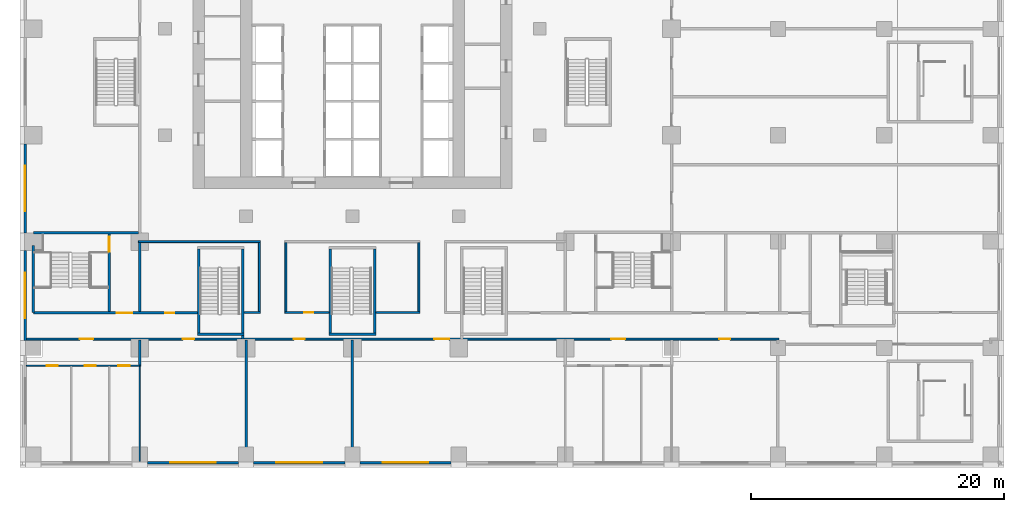
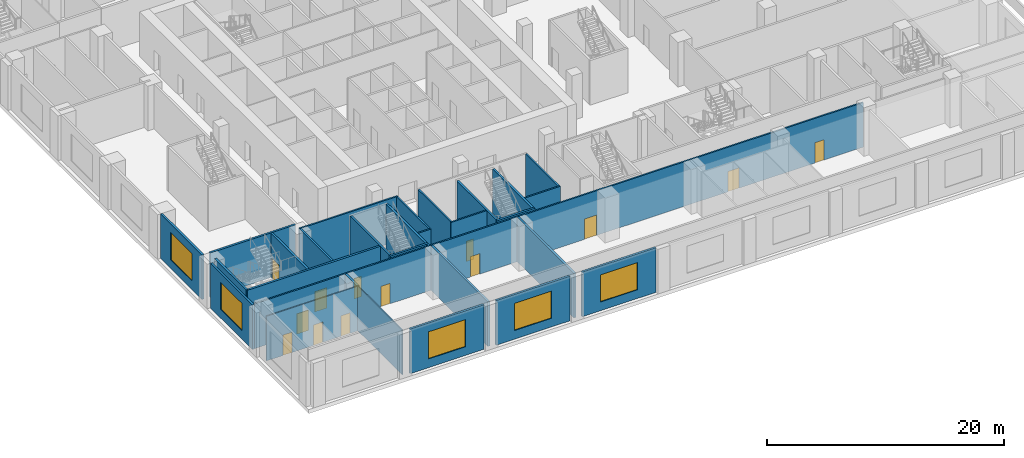
# One storey, part 4 of 23: 29 walls, 13 doors, 5 windows, 18 openings.
"""IFC4 building model written with IfcOpenShell, lengths in metres."""

from ifc_helpers import new_model, si_unit, direction, frame, frame_2d, origin, place, context, subcontext, project, spatial, rectangle, extrude, material, layer, layer_set, type_object, element, fill, save


model = new_model("IFC4")

# Units and contexts
model_context = context("Model", 3, precision=1e-05, world=origin(), true_north=direction((0.0, 1.0)))
body_context = subcontext(model_context, "Body", "Model", "MODEL_VIEW")
ifc_project = project(units=[si_unit("LENGTHUNIT", "METRE"), si_unit("AREAUNIT", "SQUARE_METRE"), si_unit("VOLUMEUNIT", "CUBIC_METRE"), si_unit("PLANEANGLEUNIT", "RADIAN"), si_unit("MASSUNIT", "GRAM", prefix="KILO")], contexts=[model_context])

# Site, building, storey
site_placement = place(None, origin())
site = spatial("IfcSite", under=ifc_project, at=site_placement, CompositionType="ELEMENT")
building_placement = place(site_placement, origin())
building = spatial("IfcBuilding", under=site, at=building_placement, Name="Vermilion Ogive Tower", CompositionType="ELEMENT")
storey_placement = place(building_placement, frame((0.0, 0.0, 20.0)))
storey = spatial("IfcBuildingStorey", under=building, at=storey_placement, Name="L03", CompositionType="ELEMENT", Elevation=20.0)

# Wall, openings, doors
ifc_material_1 = material(Name="Gypsum board partition on steel studs", Category="steel")
ifc_layer_1 = layer(ifc_material_1, 0.10009765625)
ifc_layer_set_1 = layer_set([ifc_layer_1], Name="Partition 100 bath")
wall_type_1 = type_object("IfcWallType", Name="Partition 100 bath", PredefinedType="PARTITIONING", material=ifc_layer_set_1)
wall_1_placement = place(storey_placement, frame((-25.75, -22.39990234375, 0.0), z_axis=(0.0, 0.0, 1.0), x_axis=(1.0, 0.0, 0.0)))
wall_1 = element("IfcWall", 1, at=wall_1_placement, inside=storey, type_object=wall_type_1, Name="L03-FS-W-W002", PredefinedType="PARTITIONING", context=body_context, shape_type="SweptSolid", body=[
    extrude(rectangle(XDim=9.050048828125, YDim=0.10009765625, at=frame_2d((4.52490234375, 0.0))), origin(), (0.0, 0.0, 1.0), 4.60009765625),
])
opening_1_placement = place(wall_1_placement, frame((1.60009765625, 0.0, 0.0)))
opening_1 = element("IfcOpeningElement", 2, at=opening_1_placement, cuts=wall_1, Name="Opening L03S023", PredefinedType="OPENING", context=body_context, shape_type="SweptSolid", body=[
    extrude(rectangle(XDim=0.89990234375, YDim=2.10009765625, at=frame_2d((0.449951171875, 1.050048828125))), frame((0.0, 0.06005859375, 0.0), z_axis=(0.0, -1.0, 0.0), x_axis=(1.0, 0.0, 0.0)), (0.0, 0.0, 1.0), 0.1201171875),
])
opening_2_placement = place(wall_1_placement, frame((4.60009765625, 0.0, 0.0)))
opening_2 = element("IfcOpeningElement", 3, at=opening_2_placement, cuts=wall_1, Name="Opening L03S024", PredefinedType="OPENING", context=body_context, shape_type="SweptSolid", body=[
    extrude(rectangle(XDim=0.89990234375, YDim=2.10009765625, at=frame_2d((0.449951171875, 1.050048828125))), frame((0.0, 0.06005859375, 0.0), z_axis=(0.0, -1.0, 0.0), x_axis=(1.0, 0.0, 0.0)), (0.0, 0.0, 1.0), 0.1201171875),
])
opening_3_placement = place(wall_1_placement, frame((7.25, 0.0, 0.0)))
opening_3 = element("IfcOpeningElement", 4, at=opening_3_placement, cuts=wall_1, Name="Opening L03S025", PredefinedType="OPENING", context=body_context, shape_type="SweptSolid", body=[
    extrude(rectangle(XDim=0.89990234375, YDim=2.10009765625, at=frame_2d((0.449951171875, 1.050048828125))), frame((0.0, 0.06005859375, 0.0), z_axis=(0.0, -1.0, 0.0), x_axis=(1.0, 0.0, 0.0)), (0.0, 0.0, 1.0), 0.1201171875),
])
ifc_material_2 = material(Name="Timber door leaf", Category="wood")
door_type_1 = type_object("IfcDoorType", Name="Room door 900 x 2100 FD30", OperationType="SINGLE_SWING_LEFT", PredefinedType="DOOR", material=ifc_material_2)
door_1_placement = place(opening_1_placement, origin())
door_1 = element("IfcDoor", 5, at=door_1_placement, inside=storey, type_object=door_type_1, Name="L03-FS-D-D023", OperationType="SINGLE_SWING_RIGHT", OverallHeight=2.10009765625, OverallWidth=0.89990234375, PredefinedType="DOOR", context=body_context, shape_type="SweptSolid", body=[
    extrude(rectangle(XDim=0.89990234375, YDim=2.10009765625, at=frame_2d((0.449951171875, 1.050048828125))), frame((0.0, 0.02490234375, 0.0), z_axis=(0.0, -1.0, 0.0), x_axis=(1.0, 0.0, 0.0)), (0.0, 0.0, 1.0), 0.050048828125),
])
fill(opening_1, door_1)
door_2_placement = place(opening_2_placement, origin())
door_2 = element("IfcDoor", 6, at=door_2_placement, inside=storey, type_object=door_type_1, Name="L03-FS-D-D024", OperationType="SINGLE_SWING_RIGHT", OverallHeight=2.10009765625, OverallWidth=0.89990234375, PredefinedType="DOOR", context=body_context, shape_type="SweptSolid", body=[
    extrude(rectangle(XDim=0.89990234375, YDim=2.10009765625, at=frame_2d((0.449951171875, 1.050048828125))), frame((0.0, 0.02490234375, 0.0), z_axis=(0.0, -1.0, 0.0), x_axis=(1.0, 0.0, 0.0)), (0.0, 0.0, 1.0), 0.050048828125),
])
fill(opening_2, door_2)
door_3_placement = place(opening_3_placement, origin())
door_3 = element("IfcDoor", 7, at=door_3_placement, inside=storey, type_object=door_type_1, Name="L03-FS-D-D025", OperationType="SINGLE_SWING_RIGHT", OverallHeight=2.10009765625, OverallWidth=0.89990234375, PredefinedType="DOOR", context=body_context, shape_type="SweptSolid", body=[
    extrude(rectangle(XDim=0.89990234375, YDim=2.10009765625, at=frame_2d((0.449951171875, 1.050048828125))), frame((0.0, 0.02490234375, 0.0), z_axis=(0.0, -1.0, 0.0), x_axis=(1.0, 0.0, 0.0)), (0.0, 0.0, 1.0), 0.050048828125),
])
fill(opening_3, door_3)

# Wall
wall_2_placement = place(storey_placement, frame((-16.800048828125, -29.949951171875, 0.0), z_axis=(0.0, 0.0, 1.0), x_axis=(0.0, 1.0, 0.0)))
element("IfcWall", 8, at=wall_2_placement, inside=storey, type_object=wall_type_1, Name="L03-FS-W-W050", PredefinedType="PARTITIONING", context=body_context, shape_type="SweptSolid", body=[
    extrude(rectangle(XDim=7.5, YDim=0.10009765625, at=frame_2d((3.75, 0.0))), origin(), (0.0, 0.0, 1.0), 4.60009765625),
])

# Wall, openings, doors
ifc_material_3 = material(Name="Gypsum board partition on steel studs", Category="steel")
ifc_layer_2 = layer(ifc_material_3, 0.14990234375)
ifc_layer_set_2 = layer_set([ifc_layer_2], Name="Partition 150 corridor")
wall_type_2 = type_object("IfcWallType", Name="Partition 150 corridor", PredefinedType="PARTITIONING", material=ifc_layer_set_2)
wall_3_placement = place(storey_placement, frame((-25.75, -20.300048828125, 0.0), z_axis=(0.0, 0.0, 1.0), x_axis=(1.0, 0.0, 0.0)))
wall_3 = element("IfcWall", 9, at=wall_3_placement, inside=storey, type_object=wall_type_2, Name="L03-FS-W-W006", PredefinedType="PARTITIONING", context=body_context, shape_type="SweptSolid", body=[
    extrude(rectangle(XDim=59.425048828125, YDim=0.14990234375, at=frame_2d((29.71240234375, 0.0))), origin(), (0.0, 0.0, 1.0), 4.60009765625),
])
opening_4_placement = place(wall_3_placement, frame((4.199951171875, 0.0, 0.0)))
opening_4 = element("IfcOpeningElement", 10, at=opening_4_placement, cuts=wall_3, Name="Opening L03S022", PredefinedType="OPENING", context=body_context, shape_type="SweptSolid", body=[
    extrude(rectangle(XDim=1.10009765625, YDim=2.10009765625, at=frame_2d((0.550048828125, 1.050048828125))), frame((0.0, 0.0849609375, 0.0), z_axis=(0.0, -1.0, 0.0), x_axis=(1.0, 0.0, 0.0)), (0.0, 0.0, 1.0), 0.169921875),
])
opening_5_placement = place(wall_3_placement, frame((12.35009765625, 0.0, 0.0)))
opening_5 = element("IfcOpeningElement", 11, at=opening_5_placement, cuts=wall_3, Name="Opening L03S026", PredefinedType="OPENING", context=body_context, shape_type="SweptSolid", body=[
    extrude(rectangle(XDim=0.89990234375, YDim=2.10009765625, at=frame_2d((0.449951171875, 1.050048828125))), frame((0.0, 0.0849609375, 0.0), z_axis=(0.0, -1.0, 0.0), x_axis=(1.0, 0.0, 0.0)), (0.0, 0.0, 1.0), 0.169921875),
])
opening_6_placement = place(wall_3_placement, frame((21.10009765625, 0.0, 0.0)))
opening_6 = element("IfcOpeningElement", 12, at=opening_6_placement, cuts=wall_3, Name="Opening L03S027", PredefinedType="OPENING", context=body_context, shape_type="SweptSolid", body=[
    extrude(rectangle(XDim=0.89990234375, YDim=2.10009765625, at=frame_2d((0.449951171875, 1.050048828125))), frame((0.0, 0.0849609375, 0.0), z_axis=(0.0, -1.0, 0.0), x_axis=(1.0, 0.0, 0.0)), (0.0, 0.0, 1.0), 0.169921875),
])
opening_7_placement = place(wall_3_placement, frame((32.199951171875, 0.0, 0.0)))
opening_7 = element("IfcOpeningElement", 13, at=opening_7_placement, cuts=wall_3, Name="Opening L03S028", PredefinedType="OPENING", context=body_context, shape_type="SweptSolid", body=[
    extrude(rectangle(XDim=1.199951171875, YDim=2.10009765625, at=frame_2d((0.60009765625, 1.050048828125))), frame((0.0, 0.0849609375, 0.0), z_axis=(0.0, -1.0, 0.0), x_axis=(1.0, 0.0, 0.0)), (0.0, 0.0, 1.0), 0.169921875),
])
opening_8_placement = place(wall_3_placement, frame((46.199951171875, 0.0, 0.0)))
opening_8 = element("IfcOpeningElement", 14, at=opening_8_placement, cuts=wall_3, Name="Opening L03S040", PredefinedType="OPENING", context=body_context, shape_type="SweptSolid", body=[
    extrude(rectangle(XDim=1.10009765625, YDim=2.10009765625, at=frame_2d((0.550048828125, 1.050048828125))), frame((0.0, 0.0849609375, 0.0), z_axis=(0.0, -1.0, 0.0), x_axis=(1.0, 0.0, 0.0)), (0.0, 0.0, 1.0), 0.169921875),
])
opening_9_placement = place(wall_3_placement, frame((54.699951171875, 0.0, 0.0)))
opening_9 = element("IfcOpeningElement", 15, at=opening_9_placement, cuts=wall_3, Name="Opening L03S044", PredefinedType="OPENING", context=body_context, shape_type="SweptSolid", body=[
    extrude(rectangle(XDim=0.89990234375, YDim=2.10009765625, at=frame_2d((0.449951171875, 1.050048828125))), frame((0.0, 0.0849609375, 0.0), z_axis=(0.0, -1.0, 0.0), x_axis=(1.0, 0.0, 0.0)), (0.0, 0.0, 1.0), 0.169921875),
])
ifc_material_4 = material(Name="Timber door leaf", Category="wood")
door_type_2 = type_object("IfcDoorType", Name="Room door 1200 x 2100 FD30", OperationType="SINGLE_SWING_LEFT", PredefinedType="DOOR", material=ifc_material_4)
door_4_placement = place(opening_7_placement, origin())
door_4 = element("IfcDoor", 16, at=door_4_placement, inside=storey, type_object=door_type_2, Name="L03-FS-D-D028", OperationType="SINGLE_SWING_LEFT", OverallHeight=2.10009765625, OverallWidth=1.199951171875, PredefinedType="DOOR", context=body_context, shape_type="SweptSolid", body=[
    extrude(rectangle(XDim=1.199951171875, YDim=2.10009765625, at=frame_2d((0.60009765625, 1.050048828125))), frame((0.0, 0.02490234375, 0.0), z_axis=(0.0, -1.0, 0.0), x_axis=(1.0, 0.0, 0.0)), (0.0, 0.0, 1.0), 0.050048828125),
])
fill(opening_7, door_4)
door_5_placement = place(opening_5_placement, origin())
door_5 = element("IfcDoor", 17, at=door_5_placement, inside=storey, type_object=door_type_1, Name="L03-FS-D-D026", OperationType="SINGLE_SWING_LEFT", OverallHeight=2.10009765625, OverallWidth=0.89990234375, PredefinedType="DOOR", context=body_context, shape_type="SweptSolid", body=[
    extrude(rectangle(XDim=0.89990234375, YDim=2.10009765625, at=frame_2d((0.449951171875, 1.050048828125))), frame((0.0, 0.02490234375, 0.0), z_axis=(0.0, -1.0, 0.0), x_axis=(1.0, 0.0, 0.0)), (0.0, 0.0, 1.0), 0.050048828125),
])
fill(opening_5, door_5)
door_6_placement = place(opening_6_placement, origin())
door_6 = element("IfcDoor", 18, at=door_6_placement, inside=storey, type_object=door_type_1, Name="L03-FS-D-D027", OperationType="SINGLE_SWING_LEFT", OverallHeight=2.10009765625, OverallWidth=0.89990234375, PredefinedType="DOOR", context=body_context, shape_type="SweptSolid", body=[
    extrude(rectangle(XDim=0.89990234375, YDim=2.10009765625, at=frame_2d((0.449951171875, 1.050048828125))), frame((0.0, 0.02490234375, 0.0), z_axis=(0.0, -1.0, 0.0), x_axis=(1.0, 0.0, 0.0)), (0.0, 0.0, 1.0), 0.050048828125),
])
fill(opening_6, door_6)
door_7_placement = place(opening_9_placement, origin())
door_7 = element("IfcDoor", 19, at=door_7_placement, inside=storey, type_object=door_type_1, Name="L03-FS-D-D044", OperationType="SINGLE_SWING_RIGHT", OverallHeight=2.10009765625, OverallWidth=0.89990234375, PredefinedType="DOOR", context=body_context, shape_type="SweptSolid", body=[
    extrude(rectangle(XDim=0.89990234375, YDim=2.10009765625, at=frame_2d((0.449951171875, 1.050048828125))), frame((0.0, 0.02490234375, 0.0), z_axis=(0.0, -1.0, 0.0), x_axis=(1.0, 0.0, 0.0)), (0.0, 0.0, 1.0), 0.050048828125),
])
fill(opening_9, door_7)
ifc_material_5 = material(Name="Timber door leaf", Category="wood")
door_type_3 = type_object("IfcDoorType", Name="Wc door 1100 x 2100 FD30", OperationType="SINGLE_SWING_LEFT", PredefinedType="DOOR", material=ifc_material_5)
door_8_placement = place(opening_4_placement, origin())
door_8 = element("IfcDoor", 20, at=door_8_placement, inside=storey, type_object=door_type_3, Name="L03-FS-D-D022", OperationType="SINGLE_SWING_RIGHT", OverallHeight=2.10009765625, OverallWidth=1.10009765625, PredefinedType="DOOR", context=body_context, shape_type="SweptSolid", body=[
    extrude(rectangle(XDim=1.10009765625, YDim=2.10009765625, at=frame_2d((0.550048828125, 1.050048828125))), frame((0.0, 0.02490234375, 0.0), z_axis=(0.0, -1.0, 0.0), x_axis=(1.0, 0.0, 0.0)), (0.0, 0.0, 1.0), 0.050048828125),
])
fill(opening_4, door_8)
door_9_placement = place(opening_8_placement, origin())
door_9 = element("IfcDoor", 21, at=door_9_placement, inside=storey, type_object=door_type_3, Name="L03-FS-D-D040", OperationType="SINGLE_SWING_RIGHT", OverallHeight=2.10009765625, OverallWidth=1.10009765625, PredefinedType="DOOR", context=body_context, shape_type="SweptSolid", body=[
    extrude(rectangle(XDim=1.10009765625, YDim=2.10009765625, at=frame_2d((0.550048828125, 1.050048828125))), frame((0.0, 0.02490234375, 0.0), z_axis=(0.0, -1.0, 0.0), x_axis=(1.0, 0.0, 0.0)), (0.0, 0.0, 1.0), 0.050048828125),
])
fill(opening_8, door_9)

# Wall
wall_4_placement = place(storey_placement, frame((-8.550048828125, -18.199951171875, 0.0), z_axis=(0.0, 0.0, 1.0), x_axis=(1.0, 0.0, 0.0)))
element("IfcWall", 22, at=wall_4_placement, inside=storey, type_object=wall_type_2, Name="L03-FS-W-W010", PredefinedType="PARTITIONING", context=body_context, shape_type="SweptSolid", body=[
    extrude(rectangle(XDim=1.275146484375, YDim=0.14990234375, at=frame_2d((0.6376953125, 0.0))), origin(), (0.0, 0.0, 1.0), 4.60009765625),
])

# Wall, opening, door
wall_5_placement = place(storey_placement, frame((-5.324951171875, -18.199951171875, 0.0), z_axis=(0.0, 0.0, 1.0), x_axis=(1.0, 0.0, 0.0)))
wall_5 = element("IfcWall", 23, at=wall_5_placement, inside=storey, type_object=wall_type_2, Name="L03-FS-W-W011", PredefinedType="PARTITIONING", context=body_context, shape_type="SweptSolid", body=[
    extrude(rectangle(XDim=3.474853515625, YDim=0.14990234375, at=frame_2d((1.7373046875, 0.0))), origin(), (0.0, 0.0, 1.0), 4.60009765625),
])
opening_10_placement = place(wall_5_placement, frame((1.52490234375, 0.0, 0.0)))
opening_10 = element("IfcOpeningElement", 24, at=opening_10_placement, cuts=wall_5, Name="Opening L03S053", PredefinedType="OPENING", context=body_context, shape_type="SweptSolid", body=[
    extrude(rectangle(XDim=0.699951171875, YDim=2.10009765625, at=frame_2d((0.35009765625, 1.050048828125))), frame((0.0, 0.0849609375, 0.0), z_axis=(0.0, -1.0, 0.0), x_axis=(1.0, 0.0, 0.0)), (0.0, 0.0, 1.0), 0.169921875),
])
ifc_material_6 = material(Name="Timber door leaf", Category="wood")
door_type_4 = type_object("IfcDoorType", Name="Room door 700 x 2100 FD30", OperationType="SINGLE_SWING_LEFT", PredefinedType="DOOR", material=ifc_material_6)
door_10_placement = place(opening_10_placement, origin())
door_10 = element("IfcDoor", 25, at=door_10_placement, inside=storey, type_object=door_type_4, Name="L03-FS-D-D053", OperationType="SINGLE_SWING_LEFT", OverallHeight=2.10009765625, OverallWidth=0.699951171875, PredefinedType="DOOR", context=body_context, shape_type="SweptSolid", body=[
    extrude(rectangle(XDim=0.699951171875, YDim=2.10009765625, at=frame_2d((0.35009765625, 1.050048828125))), frame((0.0, 0.02490234375, 0.0), z_axis=(0.0, -1.0, 0.0), x_axis=(1.0, 0.0, 0.0)), (0.0, 0.0, 1.0), 0.050048828125),
])
fill(opening_10, door_10)

# Walls
wall_6_placement = place(storey_placement, frame((1.85009765625, -18.199951171875, 0.0), z_axis=(0.0, 0.0, 1.0), x_axis=(1.0, 0.0, 0.0)))
element("IfcWall", 26, at=wall_6_placement, inside=storey, type_object=wall_type_2, Name="L03-FS-W-W012", PredefinedType="PARTITIONING", context=body_context, shape_type="SweptSolid", body=[
    extrude(rectangle(XDim=3.474853515625, YDim=0.14990234375, at=frame_2d((1.7373046875, 0.0))), origin(), (0.0, 0.0, 1.0), 4.60009765625),
])
wall_7_placement = place(storey_placement, frame((-16.89990234375, -12.60009765625, 0.0), z_axis=(0.0, 0.0, 1.0), x_axis=(1.0, 0.0, 0.0)))
element("IfcWall", 27, at=wall_7_placement, inside=storey, type_object=wall_type_2, Name="L03-FS-W-W016", PredefinedType="PARTITIONING", context=body_context, shape_type="SweptSolid", body=[
    extrude(rectangle(XDim=9.625, YDim=0.14990234375, at=frame_2d((4.8125, 0.0))), origin(), (0.0, 0.0, 1.0), 4.60009765625),
])
for number, where, z_axis, x_axis, name in (
    (28, (-7.35009765625, -18.125, 0.0), (0.0, 0.0, 1.0), (0.0, 1.0, 0.0), "L03-FS-W-W056"),
    (29, (-5.25, -18.125, 0.0), (0.0, 0.0, 1.0), (0.0, 1.0, 0.0), "L03-FS-W-W058"),
    (30, (5.25, -18.125, 0.0), (0.0, 0.0, 1.0), (0.0, 1.0, 0.0), "L03-FS-W-W063"),
):
    element("IfcWall", number, at=place(storey_placement, frame(where, z_axis=z_axis, x_axis=x_axis)), inside=storey, type_object=wall_type_2, Name=name, PredefinedType="PARTITIONING", context=body_context, shape_type="SweptSolid", body=[
        extrude(rectangle(XDim=5.449951171875, YDim=0.14990234375, at=frame_2d((2.72509765625, 0.0))), origin(), (0.0, 0.0, 1.0), 4.60009765625),
    ])
ifc_material_7 = material(Name="Gypsum board partition on steel studs", Category="steel")
ifc_layer_3 = layer(ifc_material_7, 0.199951171875)
ifc_layer_set_3 = layer_set([ifc_layer_3], Name="Partition 200 party")
wall_type_3 = type_object("IfcWallType", Name="Partition 200 party", PredefinedType="PARTITIONING", material=ifc_layer_set_3)
wall_8_placement = place(storey_placement, frame((-16.800048828125, -22.35009765625, 0.0), z_axis=(0.0, 0.0, 1.0), x_axis=(0.0, 1.0, 0.0)))
element("IfcWall", 31, at=wall_8_placement, inside=storey, type_object=wall_type_3, Name="L03-FS-W-W051", PredefinedType="PARTITIONING", context=body_context, shape_type="SweptSolid", body=[
    extrude(rectangle(XDim=1.97509765625, YDim=0.199951171875, at=frame_2d((0.987548828125, 0.0))), origin(), (0.0, 0.0, 1.0), 4.60009765625),
])
wall_9_placement = place(storey_placement, frame((-16.800048828125, -18.125, 0.0), z_axis=(0.0, 0.0, 1.0), x_axis=(0.0, 1.0, 0.0)))
element("IfcWall", 32, at=wall_9_placement, inside=storey, type_object=wall_type_3, Name="L03-FS-W-W052", PredefinedType="PARTITIONING", context=body_context, shape_type="SweptSolid", body=[
    extrude(rectangle(XDim=5.449951171875, YDim=0.199951171875, at=frame_2d((2.72509765625, 0.0))), origin(), (0.0, 0.0, 1.0), 4.60009765625),
])
for number, where, z_axis, x_axis, name in (
    (33, (-8.39990234375, -29.949951171875, 0.0), (0.0, 0.0, 1.0), (0.0, 1.0, 0.0), "L03-FS-W-W055"),
    (34, (0.0, -29.949951171875, 0.0), (0.0, 0.0, 1.0), (0.0, 1.0, 0.0), "L03-FS-W-W060"),
):
    element("IfcWall", number, at=place(storey_placement, frame(where, z_axis=z_axis, x_axis=x_axis)), inside=storey, type_object=wall_type_3, Name=name, PredefinedType="PARTITIONING", context=body_context, shape_type="SweptSolid", body=[
        extrude(rectangle(XDim=9.574951171875, YDim=0.199951171875, at=frame_2d((4.78759765625, 0.0))), origin(), (0.0, 0.0, 1.0), 4.60009765625),
    ])

# Wall, openings, doors
ifc_material_8 = material(Name="Concrete B60", Category="concrete")
ifc_layer_4 = layer(ifc_material_8, 0.199951171875)
ifc_layer_set_4 = layer_set([ifc_layer_4], Name="Stair shaft wall 200 Concrete B60")
wall_type_4 = type_object("IfcWallType", Name="Stair shaft wall 200 Concrete B60", PredefinedType="SOLIDWALL", material=ifc_layer_set_4)
wall_10_placement = place(storey_placement, frame((-25.199951171875, -18.224853515625, 0.0), z_axis=(0.0, 0.0, 1.0), x_axis=(1.0, 0.0, 0.0)))
wall_10 = element("IfcWall", 35, at=wall_10_placement, inside=storey, type_object=wall_type_4, Name="L03-FS-W-W009", PredefinedType="SOLIDWALL", context=body_context, shape_type="SweptSolid", body=[
    extrude(rectangle(XDim=12.949951171875, YDim=0.199951171875, at=frame_2d((6.47509765625, 0.0))), origin(), (0.0, 0.0, 1.0), 4.60009765625),
])
opening_11_placement = place(wall_10_placement, frame((6.599853515625, 0.0, 0.0)))
opening_11 = element("IfcOpeningElement", 36, at=opening_11_placement, cuts=wall_10, Name="Opening L03S013", PredefinedType="OPENING", context=body_context, shape_type="SweptSolid", body=[
    extrude(rectangle(XDim=1.199951171875, YDim=2.10009765625, at=frame_2d((0.60009765625, 1.050048828125))), frame((0.0, 0.10986328125, 0.0), z_axis=(0.0, -1.0, 0.0), x_axis=(1.0, 0.0, 0.0)), (0.0, 0.0, 1.0), 0.219970703125),
])
opening_12_placement = place(wall_10_placement, frame((10.4248046875, 0.0, 0.0)))
opening_12 = element("IfcOpeningElement", 37, at=opening_12_placement, cuts=wall_10, Name="Opening L03S052", PredefinedType="OPENING", context=body_context, shape_type="SweptSolid", body=[
    extrude(rectangle(XDim=0.699951171875, YDim=2.10009765625, at=frame_2d((0.35009765625, 1.050048828125))), frame((0.0, 0.10986328125, 0.0), z_axis=(0.0, -1.0, 0.0), x_axis=(1.0, 0.0, 0.0)), (0.0, 0.0, 1.0), 0.219970703125),
])
door_11_placement = place(opening_12_placement, origin())
door_11 = element("IfcDoor", 38, at=door_11_placement, inside=storey, type_object=door_type_4, Name="L03-FS-D-D052", OperationType="SINGLE_SWING_RIGHT", OverallHeight=2.10009765625, OverallWidth=0.699951171875, PredefinedType="DOOR", context=body_context, shape_type="SweptSolid", body=[
    extrude(rectangle(XDim=0.699951171875, YDim=2.10009765625, at=frame_2d((0.35009765625, 1.050048828125))), frame((0.0, 0.02490234375, 0.0), z_axis=(0.0, -1.0, 0.0), x_axis=(1.0, 0.0, 0.0)), (0.0, 0.0, 1.0), 0.050048828125),
])
fill(opening_12, door_11)
ifc_material_9 = material(Name="Timber door leaf", Category="wood")
door_type_5 = type_object("IfcDoorType", Name="Stair door 1200 x 2100 FD60S", OperationType="SINGLE_SWING_LEFT", PredefinedType="DOOR", material=ifc_material_9)
door_12_placement = place(opening_11_placement, origin())
door_12 = element("IfcDoor", 39, at=door_12_placement, inside=storey, type_object=door_type_5, Name="L03-FS-D-D013", OperationType="SINGLE_SWING_RIGHT", OverallHeight=2.10009765625, OverallWidth=1.199951171875, PredefinedType="DOOR", context=body_context, shape_type="SweptSolid", body=[
    extrude(rectangle(XDim=1.199951171875, YDim=2.10009765625, at=frame_2d((0.60009765625, 1.050048828125))), frame((0.0, 0.02490234375, 0.0), z_axis=(0.0, -1.0, 0.0), x_axis=(1.0, 0.0, 0.0)), (0.0, 0.0, 1.0), 0.050048828125),
])
fill(opening_11, door_12)

# Wall
wall_11_placement = place(storey_placement, frame((-25.199951171875, -11.89990234375, 0.0), z_axis=(0.0, 0.0, 1.0), x_axis=(1.0, 0.0, 0.0)))
element("IfcWall", 40, at=wall_11_placement, inside=storey, type_object=wall_type_4, Name="L03-FS-W-W019", PredefinedType="SOLIDWALL", context=body_context, shape_type="SweptSolid", body=[
    extrude(rectangle(XDim=8.324951171875, YDim=0.199951171875, at=frame_2d((4.16259765625, 0.0))), origin(), (0.0, 0.0, 1.0), 4.60009765625),
])

# Wall, opening, door
wall_12_placement = place(storey_placement, frame((-19.199951171875, -18.125, 0.0), z_axis=(0.0, 0.0, 1.0), x_axis=(0.0, 1.0, 0.0)))
wall_12 = element("IfcWall", 41, at=wall_12_placement, inside=storey, type_object=wall_type_4, Name="L03-FS-W-W049", PredefinedType="SOLIDWALL", context=body_context, shape_type="SweptSolid", body=[
    extrude(rectangle(XDim=6.125, YDim=0.199951171875, at=frame_2d((3.0625, 0.0))), origin(), (0.0, 0.0, 1.0), 4.60009765625),
])
opening_13_placement = place(wall_12_placement, frame((4.72509765625, 0.0, 0.0)))
opening_13 = element("IfcOpeningElement", 42, at=opening_13_placement, cuts=wall_12, Name="Opening L03S004", PredefinedType="OPENING", context=body_context, shape_type="SweptSolid", body=[
    extrude(rectangle(XDim=1.199951171875, YDim=2.10009765625, at=frame_2d((0.60009765625, 1.050048828125))), frame((0.0, 0.10986328125, 0.0), z_axis=(0.0, -1.0, 0.0), x_axis=(1.0, 0.0, 0.0)), (0.0, 0.0, 1.0), 0.219970703125),
])
door_13_placement = place(opening_13_placement, origin())
door_13 = element("IfcDoor", 43, at=door_13_placement, inside=storey, type_object=door_type_5, Name="L03-FS-D-D004", OperationType="DOUBLE_DOOR_SINGLE_SWING", OverallHeight=2.10009765625, OverallWidth=1.199951171875, PredefinedType="DOOR", context=body_context, shape_type="SweptSolid", body=[
    extrude(rectangle(XDim=1.199951171875, YDim=2.10009765625, at=frame_2d((0.60009765625, 1.050048828125))), frame((0.0, 0.02490234375, 0.0), z_axis=(0.0, -1.0, 0.0), x_axis=(1.0, 0.0, 0.0)), (0.0, 0.0, 1.0), 0.050048828125),
])
fill(opening_13, door_13)

# Walls
wall_13_placement = place(storey_placement, frame((-12.25, -19.89990234375, 0.0), z_axis=(0.0, 0.0, 1.0), x_axis=(1.0, 0.0, 0.0)))
element("IfcWall", 44, at=wall_13_placement, inside=storey, type_object=wall_type_4, Name="L03-SW-ST3-S1", PredefinedType="SOLIDWALL", context=body_context, shape_type="SweptSolid", body=[
    extrude(rectangle(XDim=3.699951171875, YDim=0.199951171875, at=frame_2d((1.85009765625, 0.0))), origin(), (0.0, 0.0, 1.0), 4.60009765625),
])
wall_14_placement = place(storey_placement, frame((-12.14990234375, -19.800048828125, 0.0), z_axis=(0.0, 0.0, 1.0), x_axis=(0.0, 1.0, 0.0)))
element("IfcWall", 45, at=wall_14_placement, inside=storey, type_object=wall_type_4, Name="L03-SW-ST3-W1", PredefinedType="SOLIDWALL", context=body_context, shape_type="SweptSolid", body=[
    extrude(rectangle(XDim=6.60009765625, YDim=0.199951171875, at=frame_2d((3.300048828125, 0.0))), origin(), (0.0, 0.0, 1.0), 4.60009765625),
])
wall_15_placement = place(storey_placement, frame((-8.64990234375, -20.300048828125, 0.0), z_axis=(0.0, 0.0, 1.0), x_axis=(0.0, 1.0, 0.0)))
element("IfcWall", 46, at=wall_15_placement, inside=storey, type_object=wall_type_4, Name="L03-SW-ST3-E1", PredefinedType="SOLIDWALL", context=body_context, shape_type="SweptSolid", body=[
    extrude(rectangle(XDim=7.10009765625, YDim=0.199951171875, at=frame_2d((3.550048828125, 0.0))), origin(), (0.0, 0.0, 1.0), 4.60009765625),
])
wall_16_placement = place(storey_placement, frame((-1.85009765625, -19.89990234375, 0.0), z_axis=(0.0, 0.0, 1.0), x_axis=(1.0, 0.0, 0.0)))
element("IfcWall", 47, at=wall_16_placement, inside=storey, type_object=wall_type_4, Name="L03-SW-ST4-S1", PredefinedType="SOLIDWALL", context=body_context, shape_type="SweptSolid", body=[
    extrude(rectangle(XDim=3.7001953125, YDim=0.199951171875, at=frame_2d((1.85009765625, 0.0))), origin(), (0.0, 0.0, 1.0), 4.60009765625),
])
for number, where, z_axis, x_axis, name in (
    (48, (-1.75, -19.800048828125, 0.0), (0.0, 0.0, 1.0), (0.0, 1.0, 0.0), "L03-SW-ST4-W1"),
    (49, (1.75, -19.800048828125, 0.0), (0.0, 0.0, 1.0), (0.0, 1.0, 0.0), "L03-SW-ST4-E1"),
):
    element("IfcWall", number, at=place(storey_placement, frame(where, z_axis=z_axis, x_axis=x_axis)), inside=storey, type_object=wall_type_4, Name=name, PredefinedType="SOLIDWALL", context=body_context, shape_type="SweptSolid", body=[
        extrude(rectangle(XDim=6.60009765625, YDim=0.199951171875, at=frame_2d((3.300048828125, 0.0))), origin(), (0.0, 0.0, 1.0), 4.60009765625),
    ])
wall_17_placement = place(storey_placement, frame((-25.199951171875, -18.199951171875, 0.0), z_axis=(0.0, 0.0, 1.0), x_axis=(0.0, 1.0, 0.0)))
element("IfcWall", 50, at=wall_17_placement, inside=storey, type_object=wall_type_4, Name="L03-SW-R007-W1", PredefinedType="SOLIDWALL", context=body_context, shape_type="SweptSolid", body=[
    extrude(rectangle(XDim=5.300048828125, YDim=0.199951171875, at=frame_2d((2.64990234375, 0.0))), origin(), (0.0, 0.0, 1.0), 4.60009765625),
])

# Wall, opening, window
ifc_material_10 = material(Name="Aluminium window wall framing", Category="aluminium")
ifc_layer_5 = layer(ifc_material_10, 0.199951171875)
ifc_layer_set_5 = layer_set([ifc_layer_5], Name="Window wall")
wall_type_5 = type_object("IfcWallType", Name="Window wall", PredefinedType="STANDARD", material=ifc_layer_set_5)
wall_18_placement = place(storey_placement, frame((-16.199951171875, -30.050048828125, 0.0), z_axis=(0.0, 0.0, 1.0), x_axis=(1.0, 0.0, 0.0)))
wall_18 = element("IfcWall", 51, at=wall_18_placement, inside=storey, type_object=wall_type_5, Name="Window wall S2", PredefinedType="STANDARD", context=body_context, shape_type="SweptSolid", body=[
    extrude(rectangle(XDim=7.199951171875, YDim=0.199951171875, at=frame_2d((3.60009765625, 0.0))), origin(), (0.0, 0.0, 1.0), 4.60009765625),
])
opening_14_placement = place(wall_18_placement, frame((1.800048828125, 0.0, 0.89990234375)))
opening_14 = element("IfcOpeningElement", 52, at=opening_14_placement, cuts=wall_18, Name="Opening P-S2", PredefinedType="OPENING", context=body_context, shape_type="SweptSolid", body=[
    extrude(rectangle(XDim=3.60009765625, YDim=2.800048828125, at=frame_2d((1.800048828125, 1.39990234375))), frame((0.0, 0.10986328125, 0.0), z_axis=(0.0, -1.0, 0.0), x_axis=(1.0, 0.0, 0.0)), (0.0, 0.0, 1.0), 0.219970703125),
])
ifc_material_11 = material(Name="Aluminium framed double glazing", Category="aluminium")
window_type = type_object("IfcWindowType", Name="Podium window P 3600x2800 sill 900", PartitioningType="SINGLE_PANEL", PredefinedType="WINDOW", material=ifc_material_11)
window_1_placement = place(opening_14_placement, origin())
window_1 = element("IfcWindow", 53, at=window_1_placement, inside=storey, type_object=window_type, Name="Window S2", OverallHeight=2.800048828125, OverallWidth=3.60009765625, PartitioningType="SINGLE_PANEL", PredefinedType="WINDOW", context=body_context, shape_type="SweptSolid", body=[
    extrude(rectangle(XDim=3.60009765625, YDim=2.800048828125, at=frame_2d((1.800048828125, 1.39990234375))), frame((0.0, 0.030029296875, 0.0), z_axis=(0.0, -1.0, 0.0), x_axis=(1.0, 0.0, 0.0)), (0.0, 0.0, 1.0), 0.06005859375),
])
fill(opening_14, window_1)

wall_19_placement = place(storey_placement, frame((-7.800048828125, -30.050048828125, 0.0), z_axis=(0.0, 0.0, 1.0), x_axis=(1.0, 0.0, 0.0)))
wall_19 = element("IfcWall", 54, at=wall_19_placement, inside=storey, type_object=wall_type_5, Name="Window wall S3", PredefinedType="STANDARD", context=body_context, shape_type="SweptSolid", body=[
    extrude(rectangle(XDim=7.199951171875, YDim=0.199951171875, at=frame_2d((3.60009765625, 0.0))), origin(), (0.0, 0.0, 1.0), 4.60009765625),
])
opening_15_placement = place(wall_19_placement, frame((1.800048828125, 0.0, 0.89990234375)))
opening_15 = element("IfcOpeningElement", 55, at=opening_15_placement, cuts=wall_19, Name="Opening P-S3", PredefinedType="OPENING", context=body_context, shape_type="SweptSolid", body=[
    extrude(rectangle(XDim=3.60009765625, YDim=2.800048828125, at=frame_2d((1.800048828125, 1.39990234375))), frame((0.0, 0.10986328125, 0.0), z_axis=(0.0, -1.0, 0.0), x_axis=(1.0, 0.0, 0.0)), (0.0, 0.0, 1.0), 0.219970703125),
])
window_2_placement = place(opening_15_placement, origin())
window_2 = element("IfcWindow", 56, at=window_2_placement, inside=storey, type_object=window_type, Name="Window S3", OverallHeight=2.800048828125, OverallWidth=3.60009765625, PartitioningType="SINGLE_PANEL", PredefinedType="WINDOW", context=body_context, shape_type="SweptSolid", body=[
    extrude(rectangle(XDim=3.60009765625, YDim=2.800048828125, at=frame_2d((1.800048828125, 1.39990234375))), frame((0.0, 0.030029296875, 0.0), z_axis=(0.0, -1.0, 0.0), x_axis=(1.0, 0.0, 0.0)), (0.0, 0.0, 1.0), 0.06005859375),
])
fill(opening_15, window_2)

wall_20_placement = place(storey_placement, frame((0.60009765625, -30.050048828125, 0.0), z_axis=(0.0, 0.0, 1.0), x_axis=(1.0, 0.0, 0.0)))
wall_20 = element("IfcWall", 57, at=wall_20_placement, inside=storey, type_object=wall_type_5, Name="Window wall S4", PredefinedType="STANDARD", context=body_context, shape_type="SweptSolid", body=[
    extrude(rectangle(XDim=7.199951171875, YDim=0.199951171875, at=frame_2d((3.60009765625, 0.0))), origin(), (0.0, 0.0, 1.0), 4.60009765625),
])
opening_16_placement = place(wall_20_placement, frame((1.800048828125, 0.0, 0.89990234375)))
opening_16 = element("IfcOpeningElement", 58, at=opening_16_placement, cuts=wall_20, Name="Opening P-S4", PredefinedType="OPENING", context=body_context, shape_type="SweptSolid", body=[
    extrude(rectangle(XDim=3.60009765625, YDim=2.800048828125, at=frame_2d((1.800048828125, 1.39990234375))), frame((0.0, 0.10986328125, 0.0), z_axis=(0.0, -1.0, 0.0), x_axis=(1.0, 0.0, 0.0)), (0.0, 0.0, 1.0), 0.219970703125),
])
window_3_placement = place(opening_16_placement, origin())
window_3 = element("IfcWindow", 59, at=window_3_placement, inside=storey, type_object=window_type, Name="Window S4", OverallHeight=2.800048828125, OverallWidth=3.60009765625, PartitioningType="SINGLE_PANEL", PredefinedType="WINDOW", context=body_context, shape_type="SweptSolid", body=[
    extrude(rectangle(XDim=3.60009765625, YDim=2.800048828125, at=frame_2d((1.800048828125, 1.39990234375))), frame((0.0, 0.030029296875, 0.0), z_axis=(0.0, -1.0, 0.0), x_axis=(1.0, 0.0, 0.0)), (0.0, 0.0, 1.0), 0.06005859375),
])
fill(opening_16, window_3)

wall_21_placement = place(storey_placement, frame((-25.85009765625, -4.89990234375, 0.0), z_axis=(0.0, 0.0, 1.0), x_axis=(0.0, -1.0, 0.0)))
wall_21 = element("IfcWall", 60, at=wall_21_placement, inside=storey, type_object=wall_type_5, Name="Window wall W5", PredefinedType="STANDARD", context=body_context, shape_type="SweptSolid", body=[
    extrude(rectangle(XDim=7.0, YDim=0.199951171875, at=frame_2d((3.5, 0.0))), origin(), (0.0, 0.0, 1.0), 4.60009765625),
])
opening_17_placement = place(wall_21_placement, frame((1.699951171875, 0.0, 0.89990234375)))
opening_17 = element("IfcOpeningElement", 61, at=opening_17_placement, cuts=wall_21, Name="Opening P-W5", PredefinedType="OPENING", context=body_context, shape_type="SweptSolid", body=[
    extrude(rectangle(XDim=3.60009765625, YDim=2.800048828125, at=frame_2d((1.800048828125, 1.39990234375))), frame((0.0, 0.10986328125, 0.0), z_axis=(0.0, -1.0, 0.0), x_axis=(1.0, 0.0, 0.0)), (0.0, 0.0, 1.0), 0.219970703125),
])
window_4_placement = place(opening_17_placement, origin())
window_4 = element("IfcWindow", 62, at=window_4_placement, inside=storey, type_object=window_type, Name="Window W5", OverallHeight=2.800048828125, OverallWidth=3.60009765625, PartitioningType="SINGLE_PANEL", PredefinedType="WINDOW", context=body_context, shape_type="SweptSolid", body=[
    extrude(rectangle(XDim=3.60009765625, YDim=2.800048828125, at=frame_2d((1.800048828125, 1.39990234375))), frame((0.0, 0.030029296875, 0.0), z_axis=(0.0, -1.0, 0.0), x_axis=(1.0, 0.0, 0.0)), (0.0, 0.0, 1.0), 0.06005859375),
])
fill(opening_17, window_4)

wall_22_placement = place(storey_placement, frame((-25.85009765625, -13.300048828125, 0.0), z_axis=(0.0, 0.0, 1.0), x_axis=(0.0, -1.0, 0.0)))
wall_22 = element("IfcWall", 63, at=wall_22_placement, inside=storey, type_object=wall_type_5, Name="Window wall W6", PredefinedType="STANDARD", context=body_context, shape_type="SweptSolid", body=[
    extrude(rectangle(XDim=7.099853515625, YDim=0.199951171875, at=frame_2d((3.5498046875, 0.0))), origin(), (0.0, 0.0, 1.0), 4.60009765625),
])
opening_18_placement = place(wall_22_placement, frame((1.75, 0.0, 0.89990234375)))
opening_18 = element("IfcOpeningElement", 64, at=opening_18_placement, cuts=wall_22, Name="Opening P-W6", PredefinedType="OPENING", context=body_context, shape_type="SweptSolid", body=[
    extrude(rectangle(XDim=3.60009765625, YDim=2.800048828125, at=frame_2d((1.800048828125, 1.39990234375))), frame((0.0, 0.10986328125, 0.0), z_axis=(0.0, -1.0, 0.0), x_axis=(1.0, 0.0, 0.0)), (0.0, 0.0, 1.0), 0.219970703125),
])
window_5_placement = place(opening_18_placement, origin())
window_5 = element("IfcWindow", 65, at=window_5_placement, inside=storey, type_object=window_type, Name="Window W6", OverallHeight=2.800048828125, OverallWidth=3.60009765625, PartitioningType="SINGLE_PANEL", PredefinedType="WINDOW", context=body_context, shape_type="SweptSolid", body=[
    extrude(rectangle(XDim=3.60009765625, YDim=2.800048828125, at=frame_2d((1.800048828125, 1.39990234375))), frame((0.0, 0.030029296875, 0.0), z_axis=(0.0, -1.0, 0.0), x_axis=(1.0, 0.0, 0.0)), (0.0, 0.0, 1.0), 0.06005859375),
])
fill(opening_18, window_5)

save(model, "model.ifc")
